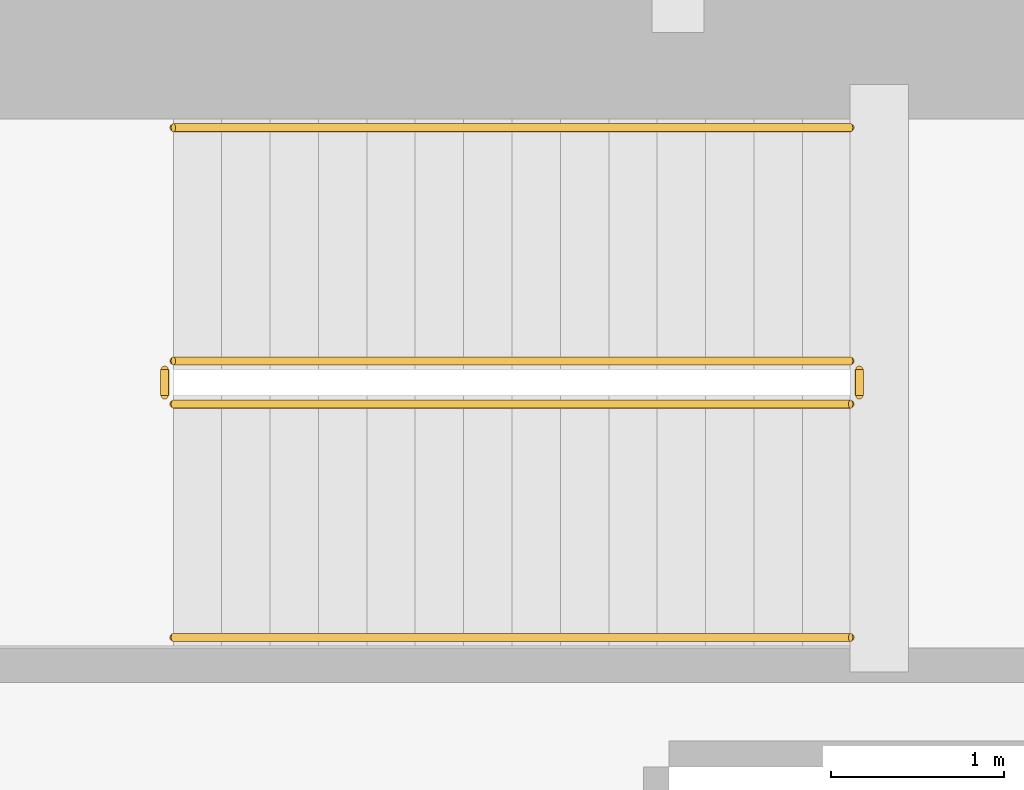
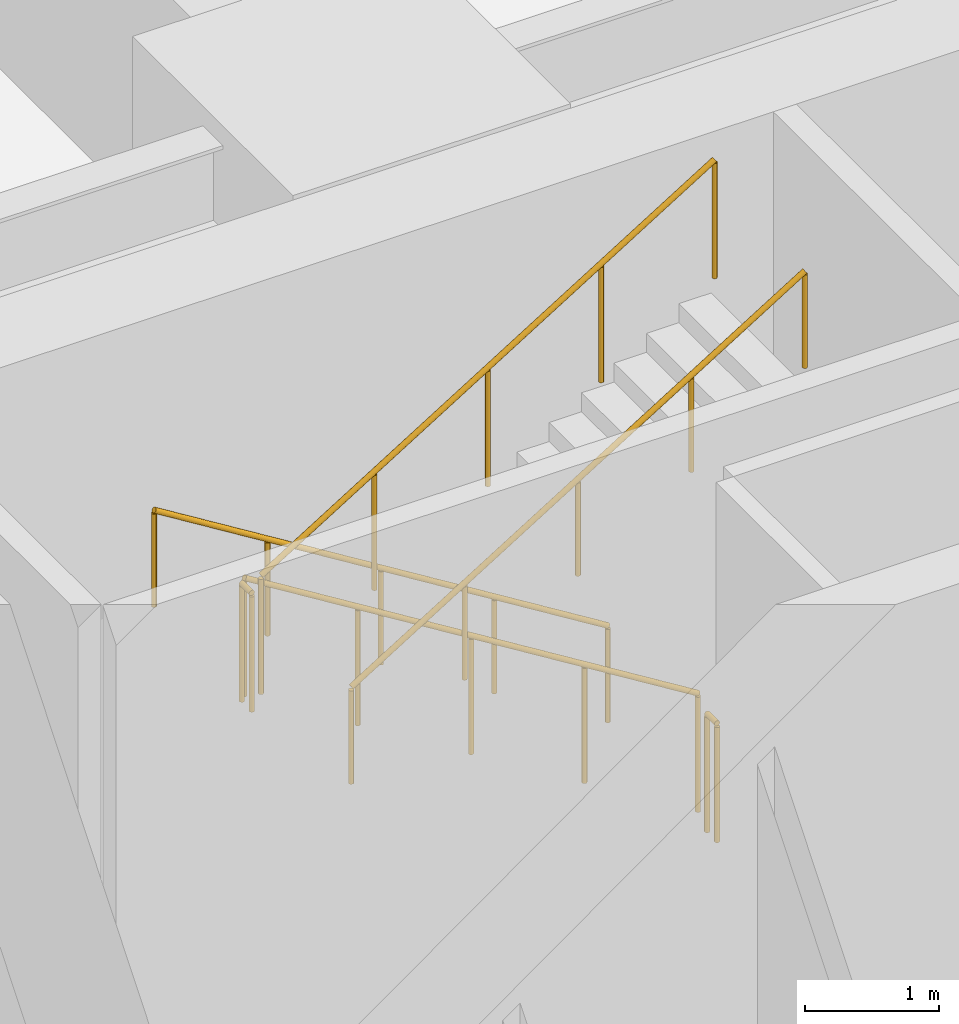
# One storey, part 13 of 14: 6 railings.
"""IFC4 building model written with IfcOpenShell, lengths in metres."""

from ifc_helpers import new_model, si_unit, direction, frame, origin, origin_2d, place, context, subcontext, project, spatial, circle, extrude, material, type_object, element, save


model = new_model("IFC4")

# Units and contexts
model_context = context("Model", 3, precision=1e-05, world=origin(), true_north=direction((0.0, 1.0)))
body_context = subcontext(model_context, "Body", "Model", "MODEL_VIEW")
ifc_project = project(units=[si_unit("LENGTHUNIT", "METRE"), si_unit("AREAUNIT", "SQUARE_METRE"), si_unit("VOLUMEUNIT", "CUBIC_METRE"), si_unit("PLANEANGLEUNIT", "RADIAN"), si_unit("MASSUNIT", "GRAM", prefix="KILO")], contexts=[model_context])

# Site, building, storey
site_placement = place(None, origin())
site = spatial("IfcSite", under=ifc_project, at=site_placement, CompositionType="ELEMENT")
building_placement = place(site_placement, origin())
building = spatial("IfcBuilding", under=site, at=building_placement, Name="Kinhvarn Gate Tower", CompositionType="ELEMENT")
storey_placement = place(building_placement, frame((0.0, 0.0, 20.39990234375)))
storey = spatial("IfcBuildingStorey", under=building, at=storey_placement, Name="L04", CompositionType="ELEMENT", Elevation=20.39990234375)

# Railings
ifc_material = material(Name="Steel S355", Category="steel")
railing_type_1 = type_object("IfcRailingType", Name="RL-ST-GRD", PredefinedType="BALUSTRADE", material=ifc_material)
railing_1_placement = place(storey_placement, frame((12.0, 34.300048828125, 0.17333984375)))
element("IfcRailing", 1, at=railing_1_placement, inside=storey, type_object=railing_type_1, Name="L04 ST2 stair guard 1", PredefinedType="BALUSTRADE", context=body_context, shape_type="SweptSolid", body=[
    extrude(circle(Radius=0.02392578125, at=origin_2d()), frame((0.0, 0.0, 1.076171875), z_axis=(-0.850251603719, 0.0, 0.526376491091), x_axis=(0.0, -1.0, 0.0)), (0.0, 0.0, 1.0), 4.6103515625),
    extrude(circle(Radius=0.02099609375, at=origin_2d()), origin(), (0.0, 0.0, 1.0), 1.052001953125),
    extrude(circle(Radius=0.02099609375, at=origin_2d()), frame((-0.97998046875, 0.0, 0.606689453125)), (0.0, 0.0, 1.0), 1.052001953125),
    extrude(circle(Radius=0.02099609375, at=origin_2d()), frame((-1.9599609375, 0.0, 1.21337890625)), (0.0, 0.0, 1.0), 1.052001953125),
    extrude(circle(Radius=0.02099609375, at=origin_2d()), frame((-2.93994140625, 0.0, 1.820068359375)), (0.0, 0.0, 1.0), 1.052001953125),
    extrude(circle(Radius=0.02099609375, at=origin_2d()), frame((-3.919921875, 0.0, 2.4267578125)), (0.0, 0.0, 1.0), 1.052001953125),
])
railing_2_placement = place(storey_placement, frame((8.030029296875, 34.25, 2.60009765625)))
element("IfcRailing", 2, at=railing_2_placement, inside=storey, type_object=railing_type_1, Name="L04 ST2 stair guard 2", PredefinedType="BALUSTRADE", context=body_context, shape_type="SweptSolid", body=[
    extrude(circle(Radius=0.02392578125, at=origin_2d()), frame((0.0, 0.0, 1.076171875), z_axis=(0.0, -1.0, 0.0), x_axis=(1.0, 0.0, 0.0)), (0.0, 0.0, 1.0), 0.14990234375),
    extrude(circle(Radius=0.02099609375, at=origin_2d()), origin(), (0.0, 0.0, 1.0), 1.052001953125),
    extrude(circle(Radius=0.02099609375, at=origin_2d()), frame((0.0, -0.14990234375, 0.0)), (0.0, 0.0, 1.0), 1.052001953125),
])
railing_3_placement = place(storey_placement, frame((8.080078125, 34.050048828125, 2.7734375)))
element("IfcRailing", 3, at=railing_3_placement, inside=storey, type_object=railing_type_1, Name="L04 ST2 stair guard 3", PredefinedType="BALUSTRADE", context=body_context, shape_type="SweptSolid", body=[
    extrude(circle(Radius=0.02392578125, at=origin_2d()), frame((0.0, 0.0, 1.076171875), z_axis=(0.850251603719, 0.0, 0.526376491091), x_axis=(0.0, 1.0, 0.0)), (0.0, 0.0, 1.0), 4.6103515625),
    extrude(circle(Radius=0.02099609375, at=origin_2d()), origin(), (0.0, 0.0, 1.0), 1.052001953125),
    extrude(circle(Radius=0.02099609375, at=origin_2d()), frame((0.97998046875, 0.0, 0.606689453125)), (0.0, 0.0, 1.0), 1.052001953125),
    extrude(circle(Radius=0.02099609375, at=origin_2d()), frame((1.9599609375, 0.0, 1.21337890625)), (0.0, 0.0, 1.0), 1.052001953125),
    extrude(circle(Radius=0.02099609375, at=origin_2d()), frame((2.93994140625, 0.0, 1.820068359375)), (0.0, 0.0, 1.0), 1.052001953125),
    extrude(circle(Radius=0.02099609375, at=origin_2d()), frame((3.919921875, 0.0, 2.4267578125)), (0.0, 0.0, 1.0), 1.052001953125),
])
railing_4_placement = place(storey_placement, frame((12.050048828125, 34.25, 0.0)))
element("IfcRailing", 4, at=railing_4_placement, inside=storey, type_object=railing_type_1, Name="L04 ST2 stair guard 4", PredefinedType="BALUSTRADE", context=body_context, shape_type="SweptSolid", body=[
    extrude(circle(Radius=0.02392578125, at=origin_2d()), frame((0.0, 0.0, 1.076171875), z_axis=(0.0, -1.0, 0.0), x_axis=(1.0, 0.0, 0.0)), (0.0, 0.0, 1.0), 0.14990234375),
    extrude(circle(Radius=0.02099609375, at=origin_2d()), origin(), (0.0, 0.0, 1.0), 1.052001953125),
    extrude(circle(Radius=0.02099609375, at=origin_2d()), frame((0.0, -0.14990234375, 0.0)), (0.0, 0.0, 1.0), 1.052001953125),
])
railing_type_2 = type_object("IfcRailingType", Name="RL-ST-HND", PredefinedType="HANDRAIL", material=ifc_material)
railing_5_placement = place(storey_placement, frame((12.0, 35.64990234375, 0.17333984375)))
element("IfcRailing", 5, at=railing_5_placement, inside=storey, type_object=railing_type_2, Name="L04 ST2 stair handrail 1", PredefinedType="HANDRAIL", context=body_context, shape_type="SweptSolid", body=[
    extrude(circle(Radius=0.02392578125, at=origin_2d()), frame((0.0, 0.0, 0.8759765625), z_axis=(-0.850251603719, 0.0, 0.526376491091), x_axis=(0.0, -1.0, 0.0)), (0.0, 0.0, 1.0), 4.6103515625),
    extrude(circle(Radius=0.02099609375, at=origin_2d()), origin(), (0.0, 0.0, 1.0), 0.851806640625),
    extrude(circle(Radius=0.02099609375, at=origin_2d()), frame((-0.97998046875, 0.0, 0.606689453125)), (0.0, 0.0, 1.0), 0.851806640625),
    extrude(circle(Radius=0.02099609375, at=origin_2d()), frame((-1.9599609375, 0.0, 1.21337890625)), (0.0, 0.0, 1.0), 0.851806640625),
    extrude(circle(Radius=0.02099609375, at=origin_2d()), frame((-2.93994140625, 0.0, 1.820068359375)), (0.0, 0.0, 1.0), 0.851806640625),
    extrude(circle(Radius=0.02099609375, at=origin_2d()), frame((-3.919921875, 0.0, 2.4267578125)), (0.0, 0.0, 1.0), 0.851806640625),
])
railing_6_placement = place(storey_placement, frame((8.080078125, 32.699951171875, 2.7734375)))
element("IfcRailing", 6, at=railing_6_placement, inside=storey, type_object=railing_type_2, Name="L04 ST2 stair handrail 2", PredefinedType="HANDRAIL", context=body_context, shape_type="SweptSolid", body=[
    extrude(circle(Radius=0.02392578125, at=origin_2d()), frame((0.0, 0.0, 0.8759765625), z_axis=(0.850251603719, 0.0, 0.526376491091), x_axis=(0.0, 1.0, 0.0)), (0.0, 0.0, 1.0), 4.6103515625),
    extrude(circle(Radius=0.02099609375, at=origin_2d()), origin(), (0.0, 0.0, 1.0), 0.851806640625),
    extrude(circle(Radius=0.02099609375, at=origin_2d()), frame((0.97998046875, 0.0, 0.606689453125)), (0.0, 0.0, 1.0), 0.851806640625),
    extrude(circle(Radius=0.02099609375, at=origin_2d()), frame((1.9599609375, 0.0, 1.21337890625)), (0.0, 0.0, 1.0), 0.851806640625),
    extrude(circle(Radius=0.02099609375, at=origin_2d()), frame((2.93994140625, 0.0, 1.820068359375)), (0.0, 0.0, 1.0), 0.851806640625),
    extrude(circle(Radius=0.02099609375, at=origin_2d()), frame((3.919921875, 0.0, 2.4267578125)), (0.0, 0.0, 1.0), 0.851806640625),
])

save(model, "model.ifc")
